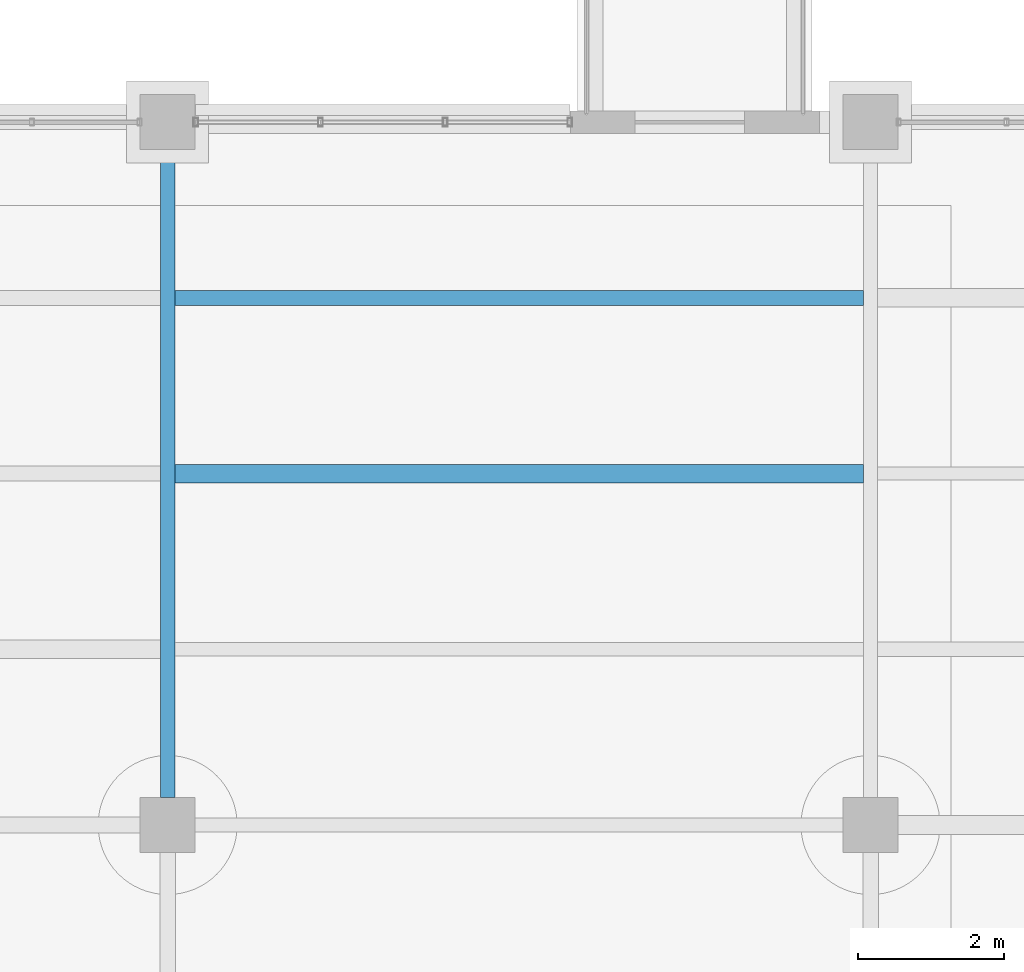
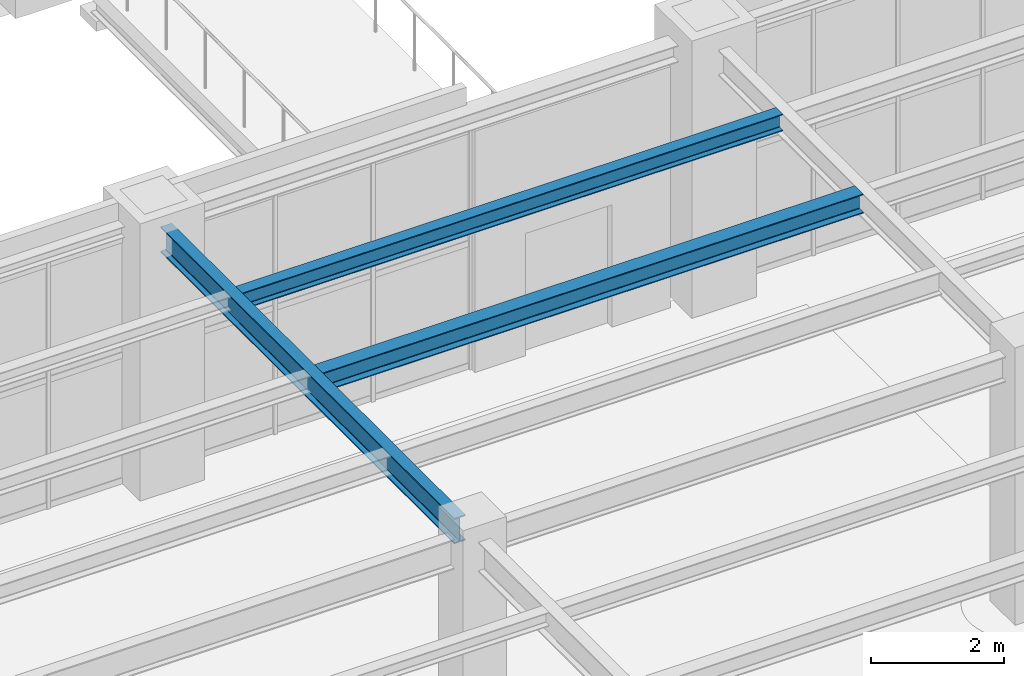
# One storey, part 17 of 174: 3 beams.
"""IFC4 building model written with IfcOpenShell, lengths in metres."""

from ifc_helpers import new_model, si_unit, direction, frame, origin, origin_2d, place, context, subcontext, project, spatial, i_section, extrude, material, material_profile, profile_set, type_object, element, save


model = new_model("IFC4")

# Units and contexts
model_context = context("Model", 3, precision=1e-05, world=origin(), true_north=direction((0.0, 1.0)))
body_context = subcontext(model_context, "Body", "Model", "MODEL_VIEW")
ifc_project = project(units=[si_unit("LENGTHUNIT", "METRE"), si_unit("AREAUNIT", "SQUARE_METRE"), si_unit("VOLUMEUNIT", "CUBIC_METRE"), si_unit("PLANEANGLEUNIT", "RADIAN"), si_unit("MASSUNIT", "GRAM", prefix="KILO")], contexts=[model_context])

# Site, building, storey
site_placement = place(None, origin())
site = spatial("IfcSite", under=ifc_project, at=site_placement, CompositionType="ELEMENT")
building_placement = place(site_placement, origin())
building = spatial("IfcBuilding", under=site, at=building_placement, Name="Mavantir Sound Aquarium", CompositionType="ELEMENT")
storey_placement = place(building_placement, frame((0.0, 0.0, 5.39990234375)))
storey = spatial("IfcBuildingStorey", under=building, at=storey_placement, Name="L01", CompositionType="ELEMENT", Elevation=5.39990234375)

# Beams
ifc_material = material(Name="Structural Steel ASTM A992 Gr50", Category="steel")
ifc_material_profile_1 = material_profile(ifc_material, i_section(OverallWidth=0.205078125, OverallDepth=0.31005859375, WebThickness=0.009521484375, FlangeThickness=0.016357421875, FilletRadius=0.012939453125, at=origin_2d()), Name="W310X74")
ifc_profile_set_1 = profile_set([ifc_material_profile_1], Name="Structural Steel ASTM A992 Gr50")
beam_type_1 = type_object("IfcBeamType", Name="BM-W310X74-I", PredefinedType="JOIST", material=ifc_profile_set_1)
beam_1_placement = place(storey_placement, frame((9.697021484375, 26.39990234375, 4.62109375), z_axis=(1.0, 0.0, 0.0), x_axis=(0.0, 1.0, 0.0)))
element("IfcBeam", 1, at=beam_1_placement, inside=storey, type_object=beam_type_1, Name="L01 secondary floor joist SJ-31 715", PredefinedType="JOIST", context=body_context, shape_type="SweptSolid", body=[
    extrude(i_section(OverallWidth=0.205078125, OverallDepth=0.31005859375, WebThickness=0.009521484375, FlangeThickness=0.016357421875, FilletRadius=0.012939453125, at=origin_2d()), origin(), (0.0, 0.0, 1.0), 9.406005859375),
])
ifc_material_profile_2 = material_profile(ifc_material, i_section(OverallWidth=0.25390625, OverallDepth=0.35302734375, WebThickness=0.009521484375, FlangeThickness=0.016357421875, FilletRadius=0.014892578125, at=origin_2d()), Name="W360X91")
ifc_profile_set_2 = profile_set([ifc_material_profile_2], Name="Structural Steel ASTM A992 Gr50")
beam_type_2 = type_object("IfcBeamType", Name="BM-W360X91-I", PredefinedType="JOIST", material=ifc_profile_set_2)
beam_2_placement = place(storey_placement, frame((9.697021484375, 24.0, 4.599609375), z_axis=(1.0, 0.0, 0.0), x_axis=(0.0, 1.0, 0.0)))
element("IfcBeam", 2, at=beam_2_placement, inside=storey, type_object=beam_type_2, Name="L01 secondary floor joist SJ-36 714", PredefinedType="JOIST", context=body_context, shape_type="SweptSolid", body=[
    extrude(i_section(OverallWidth=0.25390625, OverallDepth=0.35302734375, WebThickness=0.009521484375, FlangeThickness=0.016357421875, FilletRadius=0.014892578125, at=origin_2d()), origin(), (0.0, 0.0, 1.0), 9.406005859375),
])
ifc_material_profile_3 = material_profile(ifc_material, i_section(OverallWidth=0.194091796875, OverallDepth=0.468994140625, WebThickness=0.0126953125, FlangeThickness=0.0205078125, FilletRadius=0.01611328125, at=origin_2d()), Name="W460X106")
ifc_profile_set_3 = profile_set([ifc_material_profile_3], Name="Structural Steel ASTM A992 Gr50")
beam_type_3 = type_object("IfcBeamType", Name="BM-W460X106-I", PredefinedType="BEAM", material=ifc_profile_set_3)
beam_3_placement = place(storey_placement, frame((9.60009765625, 19.574951171875, 4.54150390625), z_axis=(0.0, 1.0, 0.0), x_axis=(-1.0, 0.0, 0.0)))
element("IfcBeam", 3, at=beam_3_placement, inside=storey, type_object=beam_type_3, Name="L01 primary girder SB-46 1227", PredefinedType="BEAM", context=body_context, shape_type="SweptSolid", body=[
    extrude(i_section(OverallWidth=0.194091796875, OverallDepth=0.468994140625, WebThickness=0.0126953125, FlangeThickness=0.0205078125, FilletRadius=0.01611328125, at=origin_2d()), origin(), (0.0, 0.0, 1.0), 8.85009765625),
])

save(model, "model.ifc")
